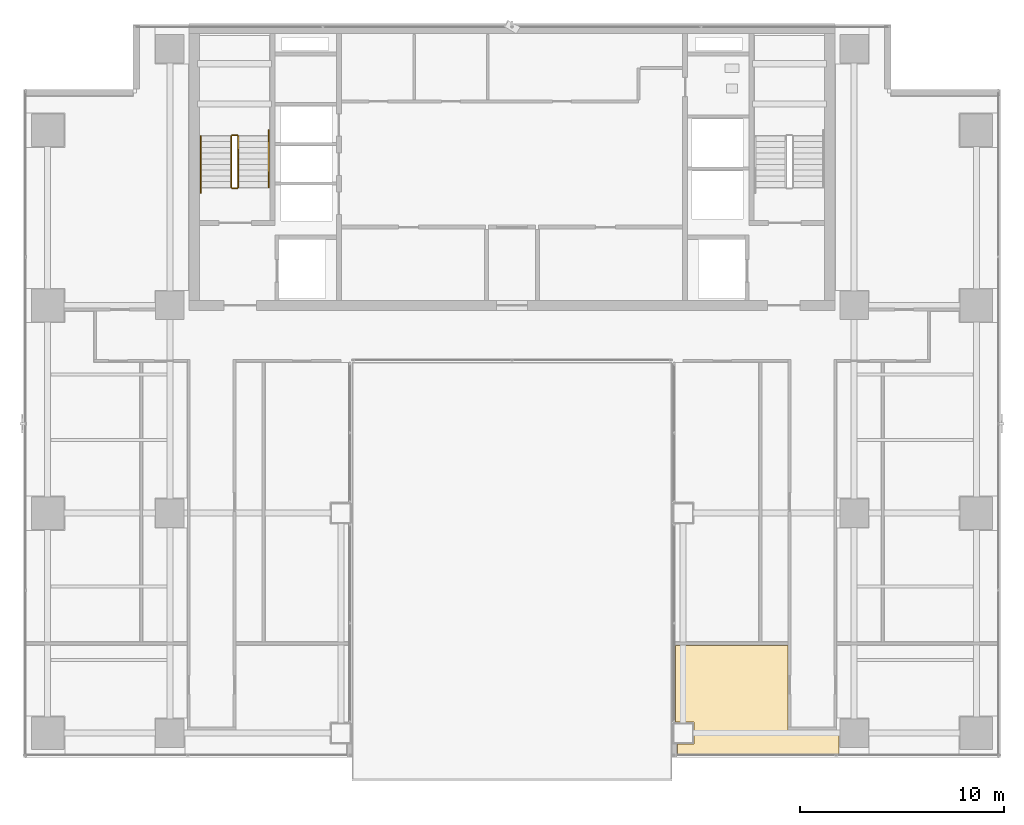
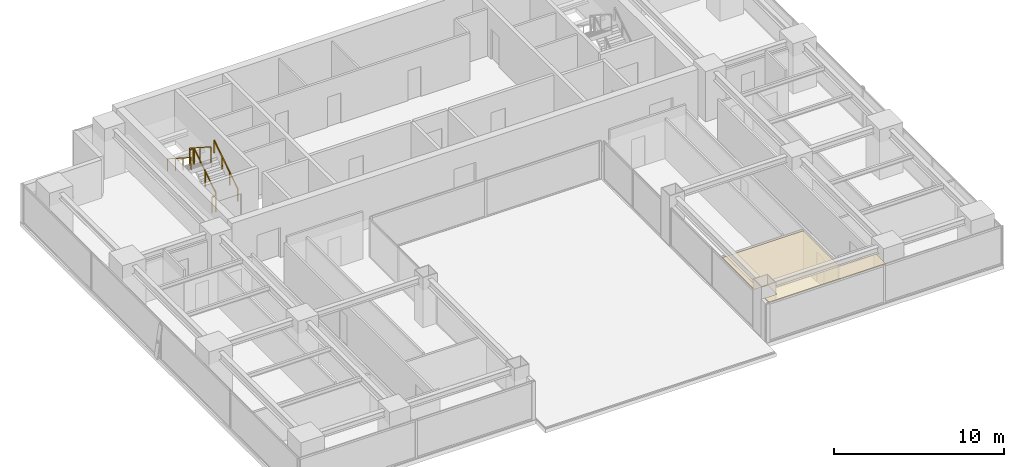
# One storey, part 28 of 30: 6 railings, 1 covering.
"""IFC4 building model written with IfcOpenShell, lengths in metres."""

from ifc_helpers import new_model, si_unit, direction, frame, origin, origin_2d, place, context, subcontext, project, spatial, polyline, rectangle, outline, extrude, material, layer, layer_set, type_object, element, save


model = new_model("IFC4")

# Units and contexts
model_context = context("Model", 3, precision=1e-05, world=origin(), true_north=direction((0.0, 1.0)))
body_context = subcontext(model_context, "Body", "Model", "MODEL_VIEW")
ifc_project = project(units=[si_unit("LENGTHUNIT", "METRE"), si_unit("AREAUNIT", "SQUARE_METRE"), si_unit("VOLUMEUNIT", "CUBIC_METRE"), si_unit("PLANEANGLEUNIT", "RADIAN"), si_unit("MASSUNIT", "GRAM", prefix="KILO")], contexts=[model_context])

# Site, building, storey
site_placement = place(None, origin())
site = spatial("IfcSite", under=ifc_project, at=site_placement, CompositionType="ELEMENT")
building_placement = place(site_placement, origin())
building = spatial("IfcBuilding", under=site, at=building_placement, Name="Sumidabori Civic Tower", CompositionType="ELEMENT")
storey_placement = place(building_placement, frame((0.0, 0.0, 196.39990234375)))
storey = spatial("IfcBuildingStorey", under=building, at=storey_placement, Name="L50", CompositionType="ELEMENT", Elevation=196.39990234375)

# Covering
ifc_material_1 = material(Name="Acoustic Mineral Gypsum Ceiling Tile")
ifc_layer = layer(ifc_material_1, 0.034912109375, Name="Acoustic Mineral Gypsum Ceiling Tile")
ifc_layer_set = layer_set([ifc_layer], Name="Acoustic Mineral Gypsum Ceiling Tile")
covering_type = type_object("IfcCoveringType", Name="CV-CEIL-AC1", PredefinedType="CEILING", material=ifc_layer_set)
covering_placement = place(storey_placement, frame((0.0, 0.0, 2.72998046875)))
element("IfcCovering", 1, at=covering_placement, inside=storey, type_object=covering_type, Name="Room Acoustic Ceiling L50-14", PredefinedType="CEILING", context=body_context, shape_type="SweptSolid", body=[
    extrude(outline(polyline([(8.93994140625, -11.340087890625), (8.93994140625, -10.260009765625), (8.02001953125, -10.260009765625), (8.02001953125, -6.487548828125), (13.544921875, -6.487548828125), (13.544921875, -10.655029296875), (16.06005859375, -10.655029296875), (16.06005859375, -11.830078125), (8.117919921875, -11.830078125), (8.117919921875, -11.340087890625), (8.93994140625, -11.340087890625)])), origin(), (0.0, 0.0, 1.0), 0.03515625),
])

# Railings
ifc_material_2 = material(Name="Stainless Steel Hairline Finish", Category="steel")
railing_type_1 = type_object("IfcRailingType", Name="RL-HANDRAIL", PredefinedType="HANDRAIL", material=ifc_material_2)
railing_1_placement = place(storey_placement, frame((-11.949951171875, 16.0, 0.18017578125)))
element("IfcRailing", 2, at=railing_1_placement, inside=storey, type_object=railing_type_1, Name="L50 ST-1 stair handrail 1", PredefinedType="HANDRAIL", context=body_context, shape_type="SweptSolid", body=[
    extrude(rectangle(XDim=0.048095703125, YDim=0.048095703125, at=origin_2d()), frame((0.0, 0.0, 0.8759765625), z_axis=(0.0, 0.840675598268, 0.541539046124), x_axis=(-1.0, 0.0, 0.0)), (0.0, 0.0, 1.0), 3.330810546875),
    extrude(rectangle(XDim=0.0419921875, YDim=0.0419921875, at=origin_2d()), origin(), (0.0, 0.0, 1.0), 0.851806640625),
    extrude(rectangle(XDim=0.0419921875, YDim=0.0419921875, at=origin_2d()), frame((0.0, 0.933349609375, 0.601318359375)), (0.0, 0.0, 1.0), 0.851806640625),
    extrude(rectangle(XDim=0.0419921875, YDim=0.0419921875, at=origin_2d()), frame((0.0, 1.86669921875, 1.202392578125)), (0.0, 0.0, 1.0), 0.851806640625),
    extrude(rectangle(XDim=0.0419921875, YDim=0.0419921875, at=origin_2d()), frame((0.0, 2.800048828125, 1.8037109375)), (0.0, 0.0, 1.0), 0.851806640625),
])
railing_2_placement = place(storey_placement, frame((-15.2900390625, 18.52001953125, 1.97998046875)))
element("IfcRailing", 3, at=railing_2_placement, inside=storey, type_object=railing_type_1, Name="L50 ST-1 stair handrail 2", PredefinedType="HANDRAIL", context=body_context, shape_type="SweptSolid", body=[
    extrude(rectangle(XDim=0.048095703125, YDim=0.048095703125, at=origin_2d()), frame((0.0, 0.0, 0.8759765625), z_axis=(0.0, -0.84064222762, 0.54159084662), x_axis=(1.0, 0.0, 0.0)), (0.0, 0.0, 1.0), 3.330810546875),
    extrude(rectangle(XDim=0.0419921875, YDim=0.0419921875, at=origin_2d()), origin(), (0.0, 0.0, 1.0), 0.851806640625),
    extrude(rectangle(XDim=0.0419921875, YDim=0.0419921875, at=origin_2d()), frame((0.0, -0.933349609375, 0.601318359375)), (0.0, 0.0, 1.0), 0.851806640625),
    extrude(rectangle(XDim=0.0419921875, YDim=0.0419921875, at=origin_2d()), frame((0.0, -1.86669921875, 1.20263671875)), (0.0, 0.0, 1.0), 0.851806640625),
    extrude(rectangle(XDim=0.0419921875, YDim=0.0419921875, at=origin_2d()), frame((0.0, -2.800048828125, 1.803955078125)), (0.0, 0.0, 1.0), 0.851806640625),
])
ifc_material_3 = material(Name="Steel SN490", Category="steel")
railing_type_2 = type_object("IfcRailingType", Name="RL-STAIR-GUARD", PredefinedType="GUARDRAIL", material=ifc_material_3)
railing_3_placement = place(storey_placement, frame((-13.449951171875, 16.0, 0.18017578125)))
element("IfcRailing", 4, at=railing_3_placement, inside=storey, type_object=railing_type_2, Name="L50 ST-1 stair guard 1", PredefinedType="GUARDRAIL", context=body_context, shape_type="SweptSolid", body=[
    extrude(rectangle(XDim=0.048095703125, YDim=0.048095703125, at=origin_2d()), frame((0.0, 0.0, 1.1259765625), z_axis=(0.0, 0.841199657755, 0.540724639528), x_axis=(-1.0, 0.0, 0.0)), (0.0, 0.0, 1.0), 2.995849609375),
    extrude(rectangle(XDim=0.0419921875, YDim=0.0419921875, at=origin_2d()), origin(), (0.0, 0.0, 1.0), 1.101806640625),
    extrude(rectangle(XDim=0.0419921875, YDim=0.0419921875, at=origin_2d()), frame((0.0, 1.260009765625, 0.81005859375)), (0.0, 0.0, 1.0), 1.101806640625),
    extrude(rectangle(XDim=0.0419921875, YDim=0.0419921875, at=origin_2d()), frame((0.0, 2.52001953125, 1.619873046875)), (0.0, 0.0, 1.0), 1.101806640625),
])
railing_4_placement = place(storey_placement, frame((-13.5, 18.570068359375, 1.800048828125)))
element("IfcRailing", 5, at=railing_4_placement, inside=storey, type_object=railing_type_2, Name="L50 ST-1 stair guard 2", PredefinedType="GUARDRAIL", context=body_context, shape_type="SweptSolid", body=[
    extrude(rectangle(XDim=0.048095703125, YDim=0.048095703125, at=origin_2d()), frame((0.0, 0.0, 1.1259765625), z_axis=(-1.0, 0.0, 0.0), x_axis=(0.0, -1.0, 0.0)), (0.0, 0.0, 1.0), 0.239990234375),
    extrude(rectangle(XDim=0.0419921875, YDim=0.0419921875, at=origin_2d()), origin(), (0.0, 0.0, 1.0), 1.101806640625),
    extrude(rectangle(XDim=0.0419921875, YDim=0.0419921875, at=origin_2d()), frame((-0.239990234375, 0.0, 0.0)), (0.0, 0.0, 1.0), 1.101806640625),
])
railing_5_placement = place(storey_placement, frame((-13.7900390625, 18.52001953125, 1.97998046875)))
element("IfcRailing", 6, at=railing_5_placement, inside=storey, type_object=railing_type_2, Name="L50 ST-1 stair guard 3", PredefinedType="GUARDRAIL", context=body_context, shape_type="SweptSolid", body=[
    extrude(rectangle(XDim=0.048095703125, YDim=0.048095703125, at=origin_2d()), frame((0.0, 0.0, 1.1259765625), z_axis=(0.0, -0.841162588446, 0.540782303519), x_axis=(1.0, 0.0, 0.0)), (0.0, 0.0, 1.0), 2.995849609375),
    extrude(rectangle(XDim=0.0419921875, YDim=0.0419921875, at=origin_2d()), origin(), (0.0, 0.0, 1.0), 1.101806640625),
    extrude(rectangle(XDim=0.0419921875, YDim=0.0419921875, at=origin_2d()), frame((0.0, -1.260009765625, 0.81005859375)), (0.0, 0.0, 1.0), 1.101806640625),
    extrude(rectangle(XDim=0.0419921875, YDim=0.0419921875, at=origin_2d()), frame((0.0, -2.52001953125, 1.6201171875)), (0.0, 0.0, 1.0), 1.101806640625),
])
railing_6_placement = place(storey_placement, frame((-13.5, 15.949951171875, 0.0)))
element("IfcRailing", 7, at=railing_6_placement, inside=storey, type_object=railing_type_2, Name="L50 ST-1 stair guard 4", PredefinedType="GUARDRAIL", context=body_context, shape_type="SweptSolid", body=[
    extrude(rectangle(XDim=0.048095703125, YDim=0.048095703125, at=origin_2d()), frame((0.0, 0.0, 1.1259765625), z_axis=(-1.0, 0.0, 0.0), x_axis=(0.0, -1.0, 0.0)), (0.0, 0.0, 1.0), 0.239990234375),
    extrude(rectangle(XDim=0.0419921875, YDim=0.0419921875, at=origin_2d()), origin(), (0.0, 0.0, 1.0), 1.101806640625),
    extrude(rectangle(XDim=0.0419921875, YDim=0.0419921875, at=origin_2d()), frame((-0.239990234375, 0.0, 0.0)), (0.0, 0.0, 1.0), 1.101806640625),
])

save(model, "model.ifc")
